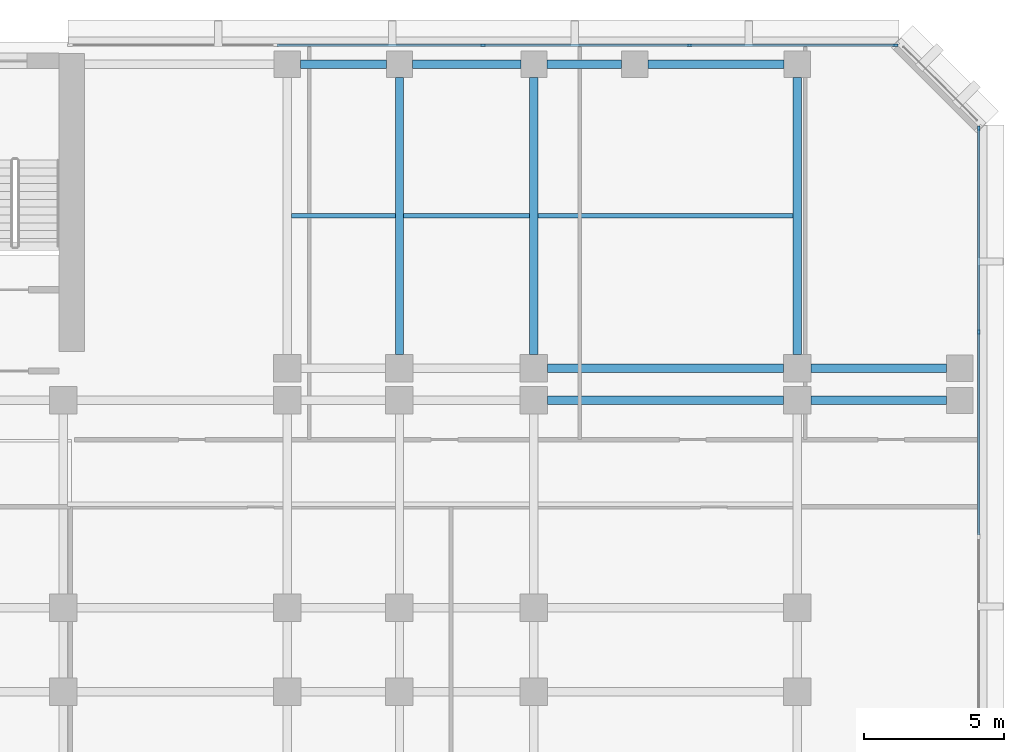
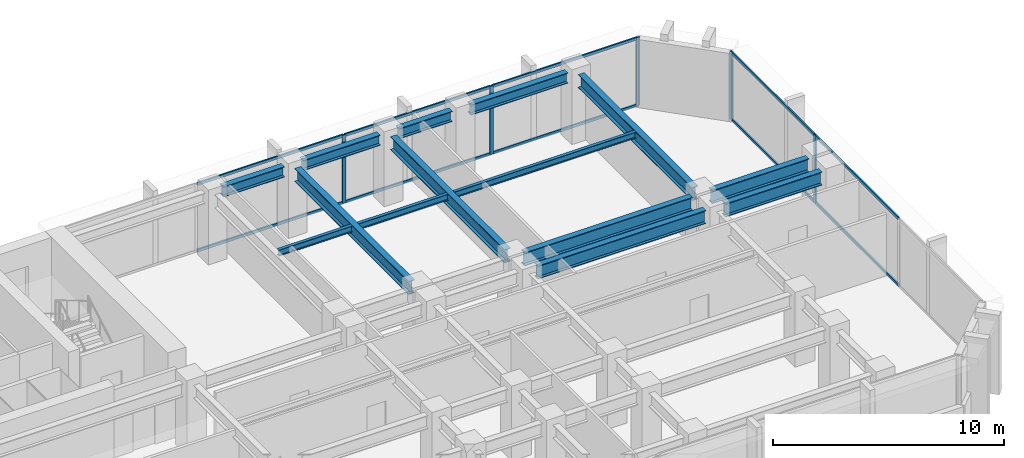
# One storey, part 5 of 13: 15 members, 14 beams, 2 elements without a shape of their own.
"""IFC4 building model written with IfcOpenShell, lengths in metres."""

import ifcopenshell
import ifcopenshell.guid

model = None  # the IFC model being written
_history = None  # IfcOwnerHistory: only IFC2X3 demands one
_inside = {}  # id of a spatial element -> (the spatial element, [elements in it])
_under = {}  # id of a project, library or spatial element -> (it, [spatial elements below it])
_declared = {}  # id of a project -> (the project, [libraries it declares])
_typed = {}  # id of a type object -> (the type object, [elements of that type])
_made_of = {}  # id of a material, layer set ... -> (it, [elements and type objects made of it])


def new_model(schema):
    """Start an empty IFC model of exactly this schema.

    Asked for "IFC4X3", IfcOpenShell would pick the latest addendum, in which some entities
    have other attributes; the version numbers below select the first issue.
    IFC2X3 requires an IfcOwnerHistory on every rooted entity: one is made here for all.
    """
    global model, _history
    if schema == "IFC4X3":
        model = ifcopenshell.file(schema_version=(4, 3, 0, 0))
    else:
        model = ifcopenshell.file(schema=schema)
    _inside.clear()
    _under.clear()
    _declared.clear()
    _typed.clear()
    _made_of.clear()
    _history = None
    if model.schema == "IFC2X3":
        org = make("IfcOrganization", Name="unknown")
        user = make(
            "IfcPersonAndOrganization",
            ThePerson=make("IfcPerson", FamilyName="unknown"),
            TheOrganization=org,
        )
        app = make(
            "IfcApplication",
            ApplicationDeveloper=org,
            Version="unknown",
            ApplicationFullName="unknown",
            ApplicationIdentifier="unknown",
        )
        _history = make(
            "IfcOwnerHistory",
            OwningUser=user,
            OwningApplication=app,
            ChangeAction="ADDED",
            CreationDate=0,
        )
    return model


def make(cls, **values):
    """One entity of the class cls with the attributes given. An attribute that is None is left unset."""
    return model.create_entity(
        cls, **{name: value for name, value in values.items() if value is not None}
    )


def rooted(cls, **values):
    """An entity with a GlobalId (a new one), such as an element, a storey or a relation."""
    return make(cls, GlobalId=ifcopenshell.guid.new(), OwnerHistory=_history, **values)


def si_unit(unit_type, name, prefix=None):
    """IfcSIUnit, for example si_unit("LENGTHUNIT", "METRE", prefix="MILLI")."""
    return make("IfcSIUnit", UnitType=unit_type, Prefix=prefix, Name=name)


def assignment(units):
    """IfcUnitAssignment: the units of a project."""
    return None if units is None else make("IfcUnitAssignment", Units=units)


def point(xyz):
    """IfcCartesianPoint."""
    return None if xyz is None else make("IfcCartesianPoint", Coordinates=xyz)


def direction(xyz):
    """IfcDirection."""
    return None if xyz is None else make("IfcDirection", DirectionRatios=xyz)


def frame(location, z_axis=None, x_axis=None):
    """IfcAxis2Placement3D, a coordinate frame: its origin and axes. An axis left out is left unset."""
    return make(
        "IfcAxis2Placement3D",
        Location=point(location),
        Axis=direction(z_axis),
        RefDirection=direction(x_axis),
    )


def frame_2d(location, x_axis=None):
    """IfcAxis2Placement2D, a coordinate frame in the plane: its origin and x axis."""
    return make(
        "IfcAxis2Placement2D", Location=point(location), RefDirection=direction(x_axis)
    )


def origin():
    """The frame at (0, 0, 0) with its axes left unset."""
    return frame((0.0, 0.0, 0.0))


def origin_2d():
    """The frame at (0, 0) in the plane with its x axis left unset."""
    return frame_2d((0.0, 0.0))


def place(relative_to, where):
    """IfcLocalPlacement: puts the frame where relative to a parent placement (None: the world)."""
    return make(
        "IfcLocalPlacement", PlacementRelTo=relative_to, RelativePlacement=where
    )


def context(
    kind, dimensions, precision=None, world=None, true_north=None, identifier=None
):
    """IfcGeometricRepresentationContext, for example the 3D "Model" context."""
    return make(
        "IfcGeometricRepresentationContext",
        ContextIdentifier=identifier,
        ContextType=kind,
        CoordinateSpaceDimension=dimensions,
        Precision=precision,
        WorldCoordinateSystem=world,
        TrueNorth=true_north,
    )


def subcontext(parent, identifier, kind, view, scale=None):
    """IfcGeometricRepresentationSubContext, for example "Body" below "Model"."""
    return make(
        "IfcGeometricRepresentationSubContext",
        ContextIdentifier=identifier,
        ContextType=kind,
        ParentContext=parent,
        TargetScale=scale,
        TargetView=view,
    )


def project(units=None, contexts=None):
    """IfcProject with its units and contexts."""
    return rooted(
        "IfcProject",
        Name="project",
        RepresentationContexts=contexts,
        UnitsInContext=assignment(units),
    )


def spatial(cls, under=None, at=None, **own):
    """A site, building, storey or space (cls), placed at a placement, below another one or the project."""
    s = rooted(cls, ObjectPlacement=at, **own)
    if under is not None:
        _under.setdefault(under.id(), (under, []))[1].append(s)
    return s


def profile(cls, at=None, kind="AREA", **sizes):
    """A parametric profile (cls). Its sizes go by their IFC names, for example OverallWidth=200.0."""
    return make(cls, ProfileType=kind, Position=at, **sizes)


def rectangle(**sizes):
    """IfcRectangleProfileDef."""
    return profile("IfcRectangleProfileDef", **sizes)


def i_section(**sizes):
    """IfcIShapeProfileDef."""
    return profile("IfcIShapeProfileDef", **sizes)


def extrude(swept, where, along, depth):
    """IfcExtrudedAreaSolid: the profile swept, set in the frame where, extruded along a direction by depth."""
    return make(
        "IfcExtrudedAreaSolid",
        SweptArea=swept,
        Position=where,
        ExtrudedDirection=direction(along),
        Depth=depth,
    )


def shape(context_of_items, identifier, shape_type, items):
    """IfcShapeRepresentation: the items that make up one representation, for example the "Body"."""
    return make(
        "IfcShapeRepresentation",
        ContextOfItems=context_of_items,
        RepresentationIdentifier=identifier,
        RepresentationType=shape_type,
        Items=items,
    )


def material(Name=None, Category=None):
    """IfcMaterial."""
    return make("IfcMaterial", Name=Name, Category=Category)


def layer(
    of_material, thickness, ventilated=None, Name=None, Category=None, Priority=None
):
    """IfcMaterialLayer: one layer of a wall or slab, of a material (None: an air gap)."""
    return make(
        "IfcMaterialLayer",
        Material=of_material,
        LayerThickness=thickness,
        IsVentilated=ventilated,
        Name=Name,
        Category=Category,
        Priority=Priority,
    )


def layer_set(layers, Name=None):
    """IfcMaterialLayerSet."""
    return make("IfcMaterialLayerSet", MaterialLayers=layers, LayerSetName=Name)


def material_profile(
    of_material, cross_section, Name=None, Category=None, Priority=None
):
    """IfcMaterialProfile: a cross section and its material."""
    return make(
        "IfcMaterialProfile",
        Name=Name,
        Material=of_material,
        Profile=cross_section,
        Priority=Priority,
        Category=Category,
    )


def profile_set(profiles, Name=None, composite=None):
    """IfcMaterialProfileSet."""
    return make(
        "IfcMaterialProfileSet",
        Name=Name,
        MaterialProfiles=profiles,
        CompositeProfile=composite,
    )


def made_of(thing, what):
    """Note that an element or type object is made of a material, layer set ...; save() writes the relation."""
    if what is not None:
        _made_of.setdefault(what.id(), (what, []))[1].append(thing)
    return thing


def type_object(cls, material=None, **own):
    """A type object (cls), such as IfcWallType, which elements share."""
    return made_of(rooted(cls, **own), material)


def element(
    cls,
    number,
    at=None,
    inside=None,
    cuts=None,
    type_object=None,
    material=None,
    context=None,
    identifier="Body",
    shape_type=None,
    held_by="IfcProductDefinitionShape",
    body=None,
    shapes=None,
    **own,
):
    """One element of the class cls, such as IfcWall. Its Tag is "e" and its number.

    at: its placement. inside: the storey or other place that contains it. cuts: it is an
    opening in that element (IfcRelVoidsElement). A single representation is given by context,
    identifier, shape_type and body (its items); several are given by shapes. held_by: the class
    of the entity that holds the representations. save() writes the other relations.
    """
    e = rooted(cls, Tag="e%d" % number, ObjectPlacement=at, **own)
    if body is not None:
        shapes = [shape(context, identifier, shape_type, body)]
    if shapes is not None:
        e.Representation = make(held_by, Representations=shapes)
    if inside is not None:
        _inside.setdefault(inside.id(), (inside, []))[1].append(e)
    if cuts is not None:
        rooted(
            "IfcRelVoidsElement", RelatingBuildingElement=cuts, RelatedOpeningElement=e
        )
    if type_object is not None:
        _typed.setdefault(type_object.id(), (type_object, []))[1].append(e)
    return made_of(e, material)


def aggregate(whole, parts):
    """IfcRelAggregates: a whole, such as a stair, and the parts it consists of."""
    return rooted("IfcRelAggregates", RelatingObject=whole, RelatedObjects=parts)


def save(model, path):
    """Write the relations noted so far, then the file.

    IfcRelAggregates (storeys below a building ...), IfcRelContainedInSpatialStructure (elements
    in a storey), IfcRelDefinesByType, IfcRelAssociatesMaterial and IfcRelDeclares: one each for
    every whole, place, type object, material and project.
    """
    for whole, parts in _under.values():
        aggregate(whole, parts)
    for where, things in _inside.values():
        rooted(
            "IfcRelContainedInSpatialStructure",
            RelatedElements=things,
            RelatingStructure=where,
        )
    for kind, things in _typed.values():
        rooted("IfcRelDefinesByType", RelatedObjects=things, RelatingType=kind)
    for what, things in _made_of.values():
        rooted("IfcRelAssociatesMaterial", RelatedObjects=things, RelatingMaterial=what)
    for by, libraries in _declared.values():
        rooted("IfcRelDeclares", RelatingContext=by, RelatedDefinitions=libraries)
    model.write(path)


model = new_model("IFC4")

# Units and contexts
model_context = context("Model", 3, precision=1e-05, world=origin(), true_north=direction((0.0, 1.0)))
body_context = subcontext(model_context, "Body", "Model", "MODEL_VIEW")
ifc_project = project(units=[si_unit("LENGTHUNIT", "METRE"), si_unit("AREAUNIT", "SQUARE_METRE"), si_unit("VOLUMEUNIT", "CUBIC_METRE"), si_unit("PLANEANGLEUNIT", "RADIAN"), si_unit("MASSUNIT", "GRAM", prefix="KILO")], contexts=[model_context])

# Site, building, storey
site_placement = place(None, origin())
site = spatial("IfcSite", under=ifc_project, at=site_placement, CompositionType="ELEMENT")
building_placement = place(site_placement, origin())
building = spatial("IfcBuilding", under=site, at=building_placement, Name="Kefirva Bronze Tower", CompositionType="ELEMENT")
storey_placement = place(building_placement, frame((0.0, 0.0, 89.760009765625)))
storey = spatial("IfcBuildingStorey", under=building, at=storey_placement, Name="L21", CompositionType="ELEMENT", Elevation=89.760009765625)

# Curtain wall, members
ifc_material_1 = material(Name="Bronze anodised aluminium", Category="aluminium")
ifc_layer = layer(ifc_material_1, 0.199951171875, Name="Bronze anodised aluminium")
ifc_layer_set = layer_set([ifc_layer], Name="Bronze anodised aluminium")
curtain_wall_type = type_object("IfcCurtainWallType", Name="Unitised Bronze Ribbon Curtain Wall Zone 1", PredefinedType="USERDEFINED", material=ifc_layer_set)
curtain_wall_1_placement = place(storey_placement, origin())
curtain_wall_1 = element("IfcCurtainWall", 1, at=curtain_wall_1_placement, inside=storey, type_object=curtain_wall_type, Name="L21 Curtain Wall 2", ObjectType="UNITISED CURTAIN WALL", PredefinedType="USERDEFINED")
ifc_material_profile_1 = material_profile(ifc_material_1, rectangle(XDim=0.074951171875, YDim=0.179931640625, at=origin_2d()), Name="ALU 75x180")
ifc_profile_set_1 = profile_set([ifc_material_profile_1], Name="Bronze anodised aluminium")
member_type_1 = type_object("IfcMemberType", Name="Bronze Mullion 75x180", PredefinedType="MULLION", material=ifc_profile_set_1)
member_1_placement = place(storey_placement, frame((55.8798828125, 35.6484375, 0.0), z_axis=(0.0, 0.0, 1.0), x_axis=(-1.0, 0.0, 0.0)))
member_1 = element("IfcMember", 2, at=member_1_placement, type_object=member_type_1, Name="CW-01 mullion 3", PredefinedType="MULLION", context=body_context, shape_type="SweptSolid", body=[
    extrude(rectangle(XDim=0.074951171875, YDim=0.179931640625, at=origin_2d()), origin(), (0.0, 0.0, 1.0), 3.610107421875),
])
member_2_placement = place(storey_placement, frame((55.8798828125, 42.907470703125, 0.0), z_axis=(0.0, 0.0, 1.0), x_axis=(-1.0, 0.0, 0.0)))
member_2 = element("IfcMember", 3, at=member_2_placement, type_object=member_type_1, Name="CW-01 mullion 4", PredefinedType="MULLION", context=body_context, shape_type="SweptSolid", body=[
    extrude(rectangle(XDim=0.074951171875, YDim=0.179931640625, at=origin_2d()), origin(), (0.0, 0.0, 1.0), 3.610107421875),
])

curtain_wall_2_placement = place(storey_placement, origin())
curtain_wall_2 = element("IfcCurtainWall", 4, at=curtain_wall_2_placement, inside=storey, type_object=curtain_wall_type, Name="L21 Curtain Wall 3", ObjectType="UNITISED CURTAIN WALL", PredefinedType="USERDEFINED")
member_3_placement = place(storey_placement, frame((52.907470703125, 45.8798828125, 0.0), z_axis=(0.0, 0.0, 1.0), x_axis=(0.0, -1.0, 0.0)))
member_3 = element("IfcMember", 5, at=member_3_placement, type_object=member_type_1, Name="CW-01 mullion 1", PredefinedType="MULLION", context=body_context, shape_type="SweptSolid", body=[
    extrude(rectangle(XDim=0.074951171875, YDim=0.179931640625, at=origin_2d()), origin(), (0.0, 0.0, 1.0), 3.610107421875),
])
member_4_placement = place(storey_placement, frame((45.56005859375, 45.8798828125, 0.0), z_axis=(0.0, 0.0, 1.0), x_axis=(0.0, -1.0, 0.0)))
member_4 = element("IfcMember", 6, at=member_4_placement, type_object=member_type_1, Name="CW-01 mullion 2", PredefinedType="MULLION", context=body_context, shape_type="SweptSolid", body=[
    extrude(rectangle(XDim=0.074951171875, YDim=0.179931640625, at=origin_2d()), origin(), (0.0, 0.0, 1.0), 3.610107421875),
])
member_5_placement = place(storey_placement, frame((38.175048828125, 45.8798828125, 0.0), z_axis=(0.0, 0.0, 1.0), x_axis=(0.0, -1.0, 0.0)))
member_5 = element("IfcMember", 7, at=member_5_placement, type_object=member_type_1, Name="CW-01 mullion 3", PredefinedType="MULLION", context=body_context, shape_type="SweptSolid", body=[
    extrude(rectangle(XDim=0.074951171875, YDim=0.179931640625, at=origin_2d()), origin(), (0.0, 0.0, 1.0), 3.610107421875),
])

# Member
ifc_material_profile_2 = material_profile(ifc_material_1, rectangle(XDim=0.074951171875, YDim=0.14990234375, at=origin_2d()), Name="ALU 75x150")
ifc_profile_set_2 = profile_set([ifc_material_profile_2], Name="Bronze anodised aluminium")
member_type_2 = type_object("IfcMemberType", Name="Bronze Transom 75x150", PredefinedType="USERDEFINED", material=ifc_profile_set_2)
member_6_placement = place(storey_placement, frame((55.8798828125, 28.38916015625, 0.03759765625), z_axis=(0.0, 1.0, 0.0), x_axis=(-1.0, 0.0, 0.0)))
member_6 = element("IfcMember", 8, at=member_6_placement, type_object=member_type_2, Name="CW-01 transom 2.1", ObjectType="TRANSOM", PredefinedType="USERDEFINED", context=body_context, shape_type="SweptSolid", body=[
    extrude(rectangle(XDim=0.074951171875, YDim=0.14990234375, at=origin_2d()), origin(), (0.0, 0.0, 1.0), 7.2216796875),
])

member_7_placement = place(storey_placement, frame((55.8798828125, 28.38916015625, 3.572509765625), z_axis=(0.0, 1.0, 0.0), x_axis=(-1.0, 0.0, 0.0)))
member_7 = element("IfcMember", 9, at=member_7_placement, type_object=member_type_2, Name="CW-01 transom 2.2", ObjectType="TRANSOM", PredefinedType="USERDEFINED", context=body_context, shape_type="SweptSolid", body=[
    extrude(rectangle(XDim=0.074951171875, YDim=0.14990234375, at=origin_2d()), origin(), (0.0, 0.0, 1.0), 7.2216796875),
])

member_8_placement = place(storey_placement, frame((55.8798828125, 35.685791015625, 0.03759765625), z_axis=(0.0, 1.0, 0.0), x_axis=(-1.0, 0.0, 0.0)))
member_8 = element("IfcMember", 10, at=member_8_placement, type_object=member_type_2, Name="CW-01 transom 3.1", ObjectType="TRANSOM", PredefinedType="USERDEFINED", context=body_context, shape_type="SweptSolid", body=[
    extrude(rectangle(XDim=0.074951171875, YDim=0.14990234375, at=origin_2d()), origin(), (0.0, 0.0, 1.0), 7.184326171875),
])

member_9_placement = place(storey_placement, frame((55.8798828125, 35.685791015625, 3.572509765625), z_axis=(0.0, 1.0, 0.0), x_axis=(-1.0, 0.0, 0.0)))
member_9 = element("IfcMember", 11, at=member_9_placement, type_object=member_type_2, Name="CW-01 transom 3.2", ObjectType="TRANSOM", PredefinedType="USERDEFINED", context=body_context, shape_type="SweptSolid", body=[
    extrude(rectangle(XDim=0.074951171875, YDim=0.14990234375, at=origin_2d()), origin(), (0.0, 0.0, 1.0), 7.184326171875),
])

aggregate(curtain_wall_1, [member_1, member_2, member_6, member_7, member_8, member_9])

member_10_placement = place(storey_placement, frame((52.8701171875, 45.8798828125, 0.03759765625), z_axis=(-1.0, 0.0, 0.0), x_axis=(0.0, -1.0, 0.0)))
member_10 = element("IfcMember", 12, at=member_10_placement, type_object=member_type_2, Name="CW-01 transom 1.1", ObjectType="TRANSOM", PredefinedType="USERDEFINED", context=body_context, shape_type="SweptSolid", body=[
    extrude(rectangle(XDim=0.074951171875, YDim=0.14990234375, at=origin_2d()), origin(), (0.0, 0.0, 1.0), 7.272705078125),
])

member_11_placement = place(storey_placement, frame((52.8701171875, 45.8798828125, 3.572509765625), z_axis=(-1.0, 0.0, 0.0), x_axis=(0.0, -1.0, 0.0)))
member_11 = element("IfcMember", 13, at=member_11_placement, type_object=member_type_2, Name="CW-01 transom 1.2", ObjectType="TRANSOM", PredefinedType="USERDEFINED", context=body_context, shape_type="SweptSolid", body=[
    extrude(rectangle(XDim=0.074951171875, YDim=0.14990234375, at=origin_2d()), origin(), (0.0, 0.0, 1.0), 7.272705078125),
])

member_12_placement = place(storey_placement, frame((45.5224609375, 45.8798828125, 0.03759765625), z_axis=(-1.0, 0.0, 0.0), x_axis=(0.0, -1.0, 0.0)))
member_12 = element("IfcMember", 14, at=member_12_placement, type_object=member_type_2, Name="CW-01 transom 2.1", ObjectType="TRANSOM", PredefinedType="USERDEFINED", context=body_context, shape_type="SweptSolid", body=[
    extrude(rectangle(XDim=0.074951171875, YDim=0.14990234375, at=origin_2d()), origin(), (0.0, 0.0, 1.0), 7.31005859375),
])

member_13_placement = place(storey_placement, frame((45.5224609375, 45.8798828125, 3.572509765625), z_axis=(-1.0, 0.0, 0.0), x_axis=(0.0, -1.0, 0.0)))
member_13 = element("IfcMember", 15, at=member_13_placement, type_object=member_type_2, Name="CW-01 transom 2.2", ObjectType="TRANSOM", PredefinedType="USERDEFINED", context=body_context, shape_type="SweptSolid", body=[
    extrude(rectangle(XDim=0.074951171875, YDim=0.14990234375, at=origin_2d()), origin(), (0.0, 0.0, 1.0), 7.31005859375),
])

member_14_placement = place(storey_placement, frame((38.137451171875, 45.8798828125, 0.03759765625), z_axis=(-1.0, 0.0, 0.0), x_axis=(0.0, -1.0, 0.0)))
member_14 = element("IfcMember", 16, at=member_14_placement, type_object=member_type_2, Name="CW-01 transom 3.1", ObjectType="TRANSOM", PredefinedType="USERDEFINED", context=body_context, shape_type="SweptSolid", body=[
    extrude(rectangle(XDim=0.074951171875, YDim=0.14990234375, at=origin_2d()), origin(), (0.0, 0.0, 1.0), 7.31005859375),
])

member_15_placement = place(storey_placement, frame((38.137451171875, 45.8798828125, 3.572509765625), z_axis=(-1.0, 0.0, 0.0), x_axis=(0.0, -1.0, 0.0)))
member_15 = element("IfcMember", 17, at=member_15_placement, type_object=member_type_2, Name="CW-01 transom 3.2", ObjectType="TRANSOM", PredefinedType="USERDEFINED", context=body_context, shape_type="SweptSolid", body=[
    extrude(rectangle(XDim=0.074951171875, YDim=0.14990234375, at=origin_2d()), origin(), (0.0, 0.0, 1.0), 7.31005859375),
])

aggregate(curtain_wall_2, [member_3, member_4, member_5, member_10, member_11, member_12, member_13, member_14, member_15])

# Beams
ifc_material_2 = material(Name="Steel S355", Category="steel")
ifc_material_profile_3 = material_profile(ifc_material_2, i_section(OverallWidth=0.159912109375, OverallDepth=0.330078125, WebThickness=0.007568359375, FlangeThickness=0.011474609375, at=origin_2d()), Name="IPE 330")
ifc_profile_set_3 = profile_set([ifc_material_profile_3], Name="Steel S355")
beam_type_1 = type_object("IfcBeamType", Name="Steel Floor Joist IPE 330", PredefinedType="JOIST", material=ifc_profile_set_3)
beam_1_placement = place(storey_placement, frame((31.35009765625, 39.784912109375, 3.445068359375), z_axis=(1.0, 0.0, 0.0), x_axis=(0.0, 1.0, 0.0)))
element("IfcBeam", 18, at=beam_1_placement, inside=storey, type_object=beam_type_1, Name="L21 JST-L21-31-397", PredefinedType="JOIST", context=body_context, shape_type="SweptSolid", body=[
    extrude(i_section(OverallWidth=0.159912109375, OverallDepth=0.330078125, WebThickness=0.007568359375, FlangeThickness=0.011474609375, at=origin_2d()), origin(), (0.0, 0.0, 1.0), 3.699951171875),
])
beam_2_placement = place(storey_placement, frame((35.35009765625, 39.784912109375, 3.445068359375), z_axis=(1.0, 0.0, 0.0), x_axis=(0.0, 1.0, 0.0)))
element("IfcBeam", 19, at=beam_2_placement, inside=storey, type_object=beam_type_1, Name="L21 JST-L21-35-397", PredefinedType="JOIST", context=body_context, shape_type="SweptSolid", body=[
    extrude(i_section(OverallWidth=0.159912109375, OverallDepth=0.330078125, WebThickness=0.007568359375, FlangeThickness=0.011474609375, at=origin_2d()), origin(), (0.0, 0.0, 1.0), 4.5),
])
beam_3_placement = place(storey_placement, frame((40.14990234375, 39.784912109375, 3.445068359375), z_axis=(1.0, 0.0, 0.0), x_axis=(0.0, 1.0, 0.0)))
element("IfcBeam", 20, at=beam_3_placement, inside=storey, type_object=beam_type_1, Name="L21 JST-L21-40-397", PredefinedType="JOIST", context=body_context, shape_type="SweptSolid", body=[
    extrude(i_section(OverallWidth=0.159912109375, OverallDepth=0.330078125, WebThickness=0.007568359375, FlangeThickness=0.011474609375, at=origin_2d()), origin(), (0.0, 0.0, 1.0), 9.10009765625),
])
ifc_material_profile_4 = material_profile(ifc_material_2, i_section(OverallWidth=0.300048828125, OverallDepth=0.699951171875, WebThickness=0.01708984375, FlangeThickness=0.031982421875, at=origin_2d()), Name="HEB 700")
ifc_profile_set_4 = profile_set([ifc_material_profile_4], Name="Steel S355")
beam_type_2 = type_object("IfcBeamType", Name="Steel Girder HEB 700", PredefinedType="USERDEFINED", material=ifc_profile_set_4)
beam_4_placement = place(storey_placement, frame((40.489990234375, 33.199951171875, 3.260009765625), z_axis=(1.0, 0.0, 0.0), x_axis=(0.0, 1.0, 0.0)))
element("IfcBeam", 21, at=beam_4_placement, inside=storey, type_object=beam_type_2, Name="L21 BM-L21-EW-40-332", ObjectType="GIRDER", PredefinedType="USERDEFINED", context=body_context, shape_type="SweptSolid", body=[
    extrude(i_section(OverallWidth=0.300048828125, OverallDepth=0.699951171875, WebThickness=0.01708984375, FlangeThickness=0.031982421875, at=origin_2d()), origin(), (0.0, 0.0, 1.0), 8.419921875),
])
beam_5_placement = place(storey_placement, frame((49.889892578125, 33.199951171875, 3.260009765625), z_axis=(1.0, 0.0, 0.0), x_axis=(0.0, 1.0, 0.0)))
element("IfcBeam", 22, at=beam_5_placement, inside=storey, type_object=beam_type_2, Name="L21 BM-L21-EW-49-332", ObjectType="GIRDER", PredefinedType="USERDEFINED", context=body_context, shape_type="SweptSolid", body=[
    extrude(i_section(OverallWidth=0.300048828125, OverallDepth=0.699951171875, WebThickness=0.01708984375, FlangeThickness=0.031982421875, at=origin_2d()), origin(), (0.0, 0.0, 1.0), 4.840087890625),
])
beam_6_placement = place(storey_placement, frame((40.489990234375, 34.35009765625, 3.260009765625), z_axis=(1.0, 0.0, 0.0), x_axis=(0.0, 1.0, 0.0)))
element("IfcBeam", 23, at=beam_6_placement, inside=storey, type_object=beam_type_2, Name="L21 BM-L21-EW-40-344", ObjectType="GIRDER", PredefinedType="USERDEFINED", context=body_context, shape_type="SweptSolid", body=[
    extrude(i_section(OverallWidth=0.300048828125, OverallDepth=0.699951171875, WebThickness=0.01708984375, FlangeThickness=0.031982421875, at=origin_2d()), origin(), (0.0, 0.0, 1.0), 8.419921875),
])
beam_7_placement = place(storey_placement, frame((49.889892578125, 34.35009765625, 3.260009765625), z_axis=(1.0, 0.0, 0.0), x_axis=(0.0, 1.0, 0.0)))
element("IfcBeam", 24, at=beam_7_placement, inside=storey, type_object=beam_type_2, Name="L21 BM-L21-EW-49-344", ObjectType="GIRDER", PredefinedType="USERDEFINED", context=body_context, shape_type="SweptSolid", body=[
    extrude(i_section(OverallWidth=0.300048828125, OverallDepth=0.699951171875, WebThickness=0.01708984375, FlangeThickness=0.031982421875, at=origin_2d()), origin(), (0.0, 0.0, 1.0), 4.840087890625),
])
for number, where, z_axis, x_axis, name in (
    (25, (35.199951171875, 34.840087890625, 3.260009765625), (0.0, 1.0, 0.0), (-1.0, 0.0, 0.0), "L21 BM-L21-NS-352-34"),
    (26, (40.0, 34.840087890625, 3.260009765625), (0.0, 1.0, 0.0), (-1.0, 0.0, 0.0), "L21 BM-L21-NS-400-34"),
    (27, (49.39990234375, 34.840087890625, 3.260009765625), (0.0, 1.0, 0.0), (-1.0, 0.0, 0.0), "L21 BM-L21-NS-494-34"),
):
    element("IfcBeam", number, at=place(storey_placement, frame(where, z_axis=z_axis, x_axis=x_axis)), inside=storey, type_object=beam_type_2, Name=name, ObjectType="GIRDER", PredefinedType="USERDEFINED", context=body_context, shape_type="SweptSolid", body=[
        extrude(i_section(OverallWidth=0.300048828125, OverallDepth=0.699951171875, WebThickness=0.01708984375, FlangeThickness=0.031982421875, at=origin_2d()), origin(), (0.0, 0.0, 1.0), 9.889892578125),
    ])
ifc_material_profile_5 = material_profile(ifc_material_2, i_section(OverallWidth=0.300048828125, OverallDepth=0.550048828125, WebThickness=0.014892578125, FlangeThickness=0.029052734375, at=origin_2d()), Name="HEB 550")
ifc_profile_set_5 = profile_set([ifc_material_profile_5], Name="Steel S355")
beam_type_3 = type_object("IfcBeamType", Name="Steel Spandrel HEB 550 Ext", PredefinedType="SPANDREL", material=ifc_profile_set_5)
beam_8_placement = place(storey_placement, frame((31.669921875, 45.199951171875, 3.3349609375), z_axis=(1.0, 0.0, 0.0), x_axis=(0.0, 1.0, 0.0)))
element("IfcBeam", 28, at=beam_8_placement, inside=storey, type_object=beam_type_3, Name="L21 BM-L21-EW-31-452", PredefinedType="SPANDREL", context=body_context, shape_type="SweptSolid", body=[
    extrude(i_section(OverallWidth=0.300048828125, OverallDepth=0.550048828125, WebThickness=0.014892578125, FlangeThickness=0.029052734375, at=origin_2d()), origin(), (0.0, 0.0, 1.0), 3.06005859375),
])
beam_9_placement = place(storey_placement, frame((35.669921875, 45.199951171875, 3.3349609375), z_axis=(1.0, 0.0, 0.0), x_axis=(0.0, 1.0, 0.0)))
element("IfcBeam", 29, at=beam_9_placement, inside=storey, type_object=beam_type_3, Name="L21 BM-L21-EW-35-452", PredefinedType="SPANDREL", context=body_context, shape_type="SweptSolid", body=[
    extrude(i_section(OverallWidth=0.300048828125, OverallDepth=0.550048828125, WebThickness=0.014892578125, FlangeThickness=0.029052734375, at=origin_2d()), origin(), (0.0, 0.0, 1.0), 3.860107421875),
])
beam_10_placement = place(storey_placement, frame((40.469970703125, 45.199951171875, 3.3349609375), z_axis=(1.0, 0.0, 0.0), x_axis=(0.0, 1.0, 0.0)))
element("IfcBeam", 30, at=beam_10_placement, inside=storey, type_object=beam_type_3, Name="L21 BM-L21-EW-40-452", PredefinedType="SPANDREL", context=body_context, shape_type="SweptSolid", body=[
    extrude(i_section(OverallWidth=0.300048828125, OverallDepth=0.550048828125, WebThickness=0.014892578125, FlangeThickness=0.029052734375, at=origin_2d()), origin(), (0.0, 0.0, 1.0), 2.659912109375),
])
beam_11_placement = place(storey_placement, frame((44.070068359375, 45.199951171875, 3.3349609375), z_axis=(1.0, 0.0, 0.0), x_axis=(0.0, 1.0, 0.0)))
element("IfcBeam", 31, at=beam_11_placement, inside=storey, type_object=beam_type_3, Name="L21 BM-L21-EW-43-452", PredefinedType="SPANDREL", context=body_context, shape_type="SweptSolid", body=[
    extrude(i_section(OverallWidth=0.300048828125, OverallDepth=0.550048828125, WebThickness=0.014892578125, FlangeThickness=0.029052734375, at=origin_2d()), origin(), (0.0, 0.0, 1.0), 4.85986328125),
])

save(model, "model.ifc")
